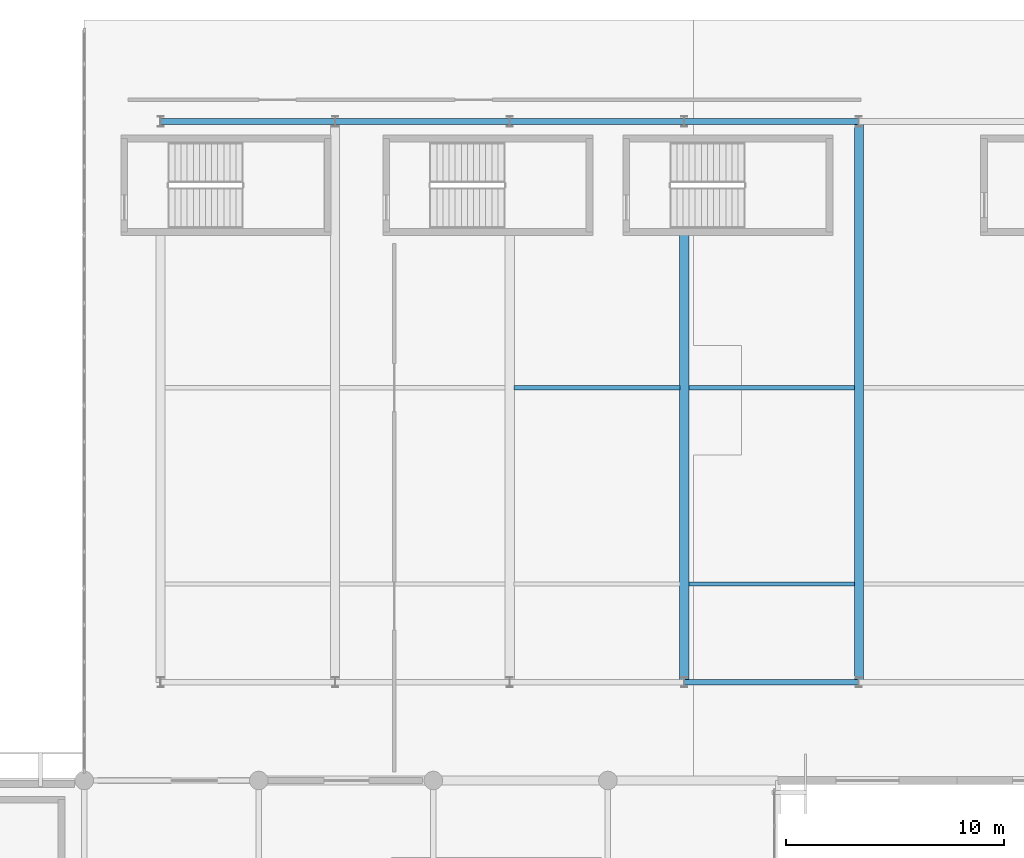
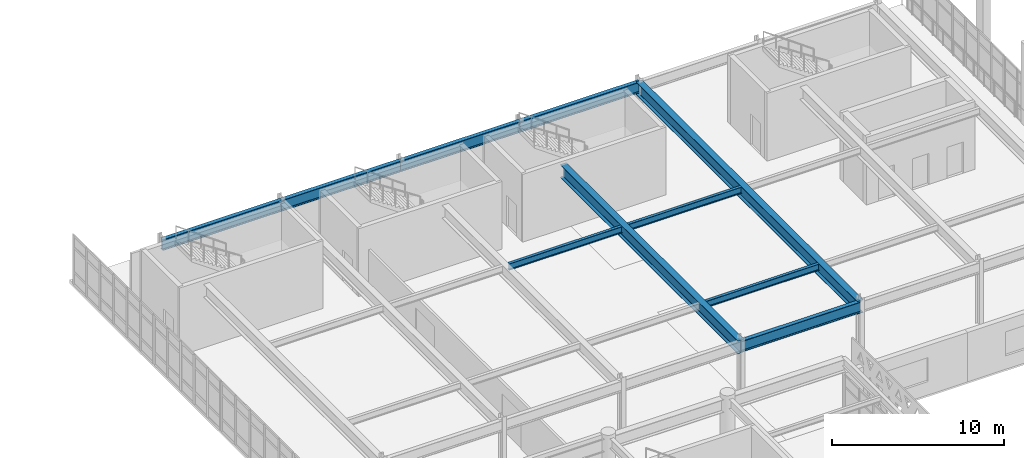
# One storey, part 22 of 54: 10 beams.
"""IFC4 building model written with IfcOpenShell, lengths in metres."""

from ifc_helpers import new_model, si_unit, direction, frame, origin, origin_2d, place, context, subcontext, project, spatial, i_section, extrude, material, material_profile, profile_set, type_object, element, save


model = new_model("IFC4")

# Units and contexts
model_context = context("Model", 3, precision=1e-05, world=origin(), true_north=direction((0.0, 1.0)))
body_context = subcontext(model_context, "Body", "Model", "MODEL_VIEW")
ifc_project = project(units=[si_unit("LENGTHUNIT", "METRE"), si_unit("AREAUNIT", "SQUARE_METRE"), si_unit("VOLUMEUNIT", "CUBIC_METRE"), si_unit("PLANEANGLEUNIT", "RADIAN"), si_unit("MASSUNIT", "GRAM", prefix="KILO")], contexts=[model_context])

# Site, building, storey
site_placement = place(None, origin())
site = spatial("IfcSite", under=ifc_project, at=site_placement, CompositionType="ELEMENT")
building_placement = place(site_placement, origin())
building = spatial("IfcBuilding", under=site, at=building_placement, Name="Tlacozan Convention Centre", CompositionType="ELEMENT")
storey_placement = place(building_placement, frame((0.0, 0.0, 11.39990234375)))
storey = spatial("IfcBuildingStorey", under=building, at=storey_placement, Name="L02", CompositionType="ELEMENT", Elevation=11.39990234375)

# Beams
ifc_material = material(Name="Steel ASTM A992 Grade 50", Category="steel")
ifc_material_profile_1 = material_profile(ifc_material, i_section(OverallWidth=0.41796875, OverallDepth=0.912109375, WebThickness=0.019287109375, FlangeThickness=0.031982421875, FilletRadius=0.02001953125, at=origin_2d()), Name="IR 914x342.0")
ifc_profile_set_1 = profile_set([ifc_material_profile_1], Name="Steel ASTM A992 Grade 50")
beam_type_1 = type_object("IfcBeamType", Name="Ballroom Span Girder IR 914x342", PredefinedType="BEAM", material=ifc_profile_set_1)
beam_1_placement = place(storey_placement, frame((115.5, 31.5, 4.044189453125), z_axis=(0.0, 1.0, 0.0), x_axis=(-1.0, 0.0, 0.0)))
element("IfcBeam", 1, at=beam_1_placement, inside=storey, type_object=beam_type_1, Name="L02 Ballroom Span Girder IR 914x342 1473", PredefinedType="BEAM", context=body_context, shape_type="SweptSolid", body=[
    extrude(i_section(OverallWidth=0.41796875, OverallDepth=0.912109375, WebThickness=0.019287109375, FlangeThickness=0.031982421875, FilletRadius=0.02001953125, at=origin_2d()), origin(), (0.0, 0.0, 1.0), 20.639892578125),
])
beam_2_placement = place(storey_placement, frame((123.5, 31.5, 4.044189453125), z_axis=(0.0, 1.0, 0.0), x_axis=(-1.0, 0.0, 0.0)))
element("IfcBeam", 2, at=beam_2_placement, inside=storey, type_object=beam_type_1, Name="L02 Ballroom Span Girder IR 914x342 1474", PredefinedType="BEAM", context=body_context, shape_type="SweptSolid", body=[
    extrude(i_section(OverallWidth=0.41796875, OverallDepth=0.912109375, WebThickness=0.019287109375, FlangeThickness=0.031982421875, FilletRadius=0.02001953125, at=origin_2d()), origin(), (0.0, 0.0, 1.0), 25.699951171875),
])
ifc_material_profile_2 = material_profile(ifc_material, i_section(OverallWidth=0.26806640625, OverallDepth=0.77001953125, WebThickness=0.015625, FlangeThickness=0.025390625, FilletRadius=0.01708984375, at=origin_2d()), Name="IR 762x196.0")
ifc_profile_set_2 = profile_set([ifc_material_profile_2], Name="Steel ASTM A992 Grade 50")
beam_type_2 = type_object("IfcBeamType", Name="Girder Steel IR 762x196", PredefinedType="BEAM", material=ifc_profile_set_2)
for number, where, z_axis, x_axis, name in (
    (3, (91.5, 57.199951171875, 4.114990234375), (1.0, 0.0, 0.0), (0.0, 1.0, 0.0), "L02 Girder Steel IR 762x196 1478"),
    (4, (99.5, 57.199951171875, 4.114990234375), (1.0, 0.0, 0.0), (0.0, 1.0, 0.0), "L02 Girder Steel IR 762x196 1482"),
    (5, (107.5, 57.199951171875, 4.114990234375), (1.0, 0.0, 0.0), (0.0, 1.0, 0.0), "L02 Girder Steel IR 762x196 1486"),
    (6, (115.5, 31.5, 4.114990234375), (1.0, 0.0, 0.0), (0.0, 1.0, 0.0), "L02 Girder Steel IR 762x196 1489"),
    (7, (115.5, 57.199951171875, 4.114990234375), (1.0, 0.0, 0.0), (0.0, 1.0, 0.0), "L02 Girder Steel IR 762x196 1490"),
):
    element("IfcBeam", number, at=place(storey_placement, frame(where, z_axis=z_axis, x_axis=x_axis)), inside=storey, type_object=beam_type_2, Name=name, PredefinedType="BEAM", context=body_context, shape_type="SweptSolid", body=[
        extrude(i_section(OverallWidth=0.26806640625, OverallDepth=0.77001953125, WebThickness=0.015625, FlangeThickness=0.025390625, FilletRadius=0.01708984375, at=origin_2d()), origin(), (0.0, 0.0, 1.0), 8.0),
    ])
ifc_material_profile_3 = material_profile(ifc_material, i_section(OverallWidth=0.19189453125, OverallDepth=0.462890625, WebThickness=0.010498046875, FlangeThickness=0.017578125, FilletRadius=0.010986328125, at=origin_2d()), Name="IR 457x89.3")
ifc_profile_set_3 = profile_set([ifc_material_profile_3], Name="Steel ASTM A992 Grade 50")
beam_type_3 = type_object("IfcBeamType", Name="Secondary Joist IR 457x89.3", PredefinedType="JOIST", material=ifc_profile_set_3)
for number, where, z_axis, x_axis, name in (
    (8, (107.70703125, 45.0, 4.2685546875), (1.0, 0.0, 0.0), (0.0, 1.0, 0.0), "L02 Secondary Joist IR 457x89.3 1488"),
    (9, (115.70703125, 36.0, 4.2685546875), (1.0, 0.0, 0.0), (0.0, 1.0, 0.0), "L02 Secondary Joist IR 457x89.3 1491"),
    (10, (115.70703125, 45.0, 4.2685546875), (1.0, 0.0, 0.0), (0.0, 1.0, 0.0), "L02 Secondary Joist IR 457x89.3 1492"),
):
    element("IfcBeam", number, at=place(storey_placement, frame(where, z_axis=z_axis, x_axis=x_axis)), inside=storey, type_object=beam_type_3, Name=name, PredefinedType="JOIST", context=body_context, shape_type="SweptSolid", body=[
        extrude(i_section(OverallWidth=0.19189453125, OverallDepth=0.462890625, WebThickness=0.010498046875, FlangeThickness=0.017578125, FilletRadius=0.010986328125, at=origin_2d()), origin(), (0.0, 0.0, 1.0), 7.5859375),
    ])

save(model, "model.ifc")
